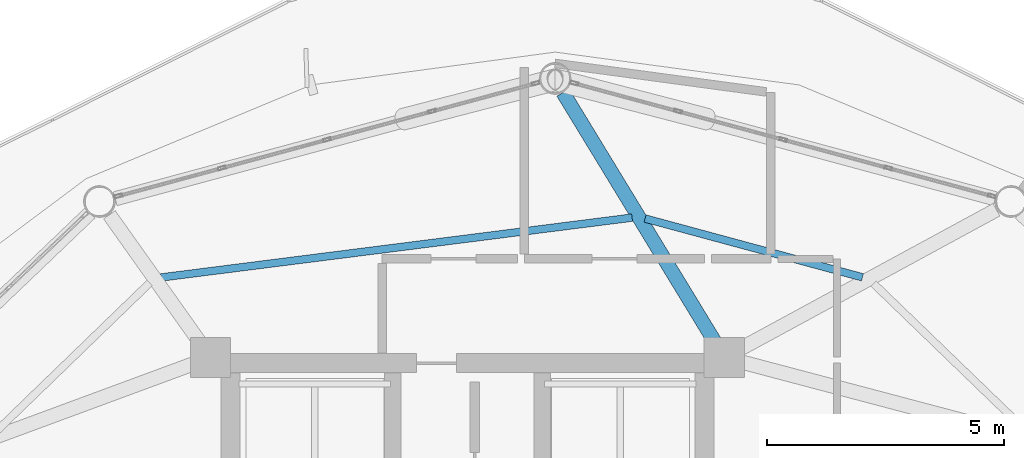
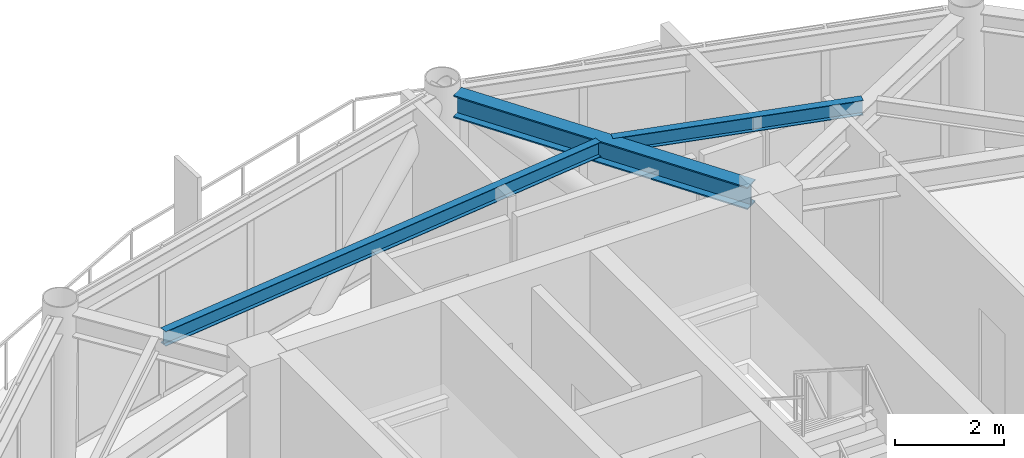
# One storey, part 20 of 28: 3 beams.
"""IFC4 building model written with IfcOpenShell, lengths in metres."""

from ifc_helpers import new_model, si_unit, direction, frame, origin, origin_2d, place, context, subcontext, project, spatial, i_section, extrude, material, material_profile, profile_set, type_object, element, save


model = new_model("IFC4")

# Units and contexts
model_context = context("Model", 3, precision=1e-05, world=origin(), true_north=direction((0.0, 1.0)))
body_context = subcontext(model_context, "Body", "Model", "MODEL_VIEW")
ifc_project = project(units=[si_unit("LENGTHUNIT", "METRE"), si_unit("AREAUNIT", "SQUARE_METRE"), si_unit("VOLUMEUNIT", "CUBIC_METRE"), si_unit("PLANEANGLEUNIT", "RADIAN"), si_unit("MASSUNIT", "GRAM", prefix="KILO")], contexts=[model_context])

# Site, building, storey
site_placement = place(None, origin())
site = spatial("IfcSite", under=ifc_project, at=site_placement, CompositionType="ELEMENT")
building_placement = place(site_placement, origin())
building = spatial("IfcBuilding", under=site, at=building_placement, Name="Varnakorn Sky Granary", CompositionType="ELEMENT")
storey_placement = place(building_placement, frame((0.0, 0.0, 200.39990234375)))
storey = spatial("IfcBuildingStorey", under=building, at=storey_placement, Name="L50", CompositionType="ELEMENT", Elevation=200.39990234375)

# Beams
ifc_material = material(Name="Steel S355JR", Category="steel")
ifc_material_profile_1 = material_profile(ifc_material, i_section(OverallWidth=0.300048828125, OverallDepth=0.5, WebThickness=0.014404296875, FlangeThickness=0.028076171875, at=origin_2d()), Name="HE 500 B")
ifc_profile_set_1 = profile_set([ifc_material_profile_1], Name="Steel S355JR")
beam_type_1 = type_object("IfcBeamType", Name="BM-RAD-Z4", PredefinedType="BEAM", material=ifc_profile_set_1)
beam_1_placement = place(storey_placement, frame((8.209228515625, 12.9658203125, 3.110107421875), z_axis=(-0.520330309652, 0.85396508644, 0.0), x_axis=(-0.85396508644, -0.520330309652, 0.0)))
element("IfcBeam", 1, at=beam_1_placement, inside=storey, type_object=beam_type_1, Name="Radial Floor Girder RG04 L50", PredefinedType="BEAM", context=body_context, shape_type="SweptSolid", body=[
    extrude(i_section(OverallWidth=0.300048828125, OverallDepth=0.5, WebThickness=0.014404296875, FlangeThickness=0.028076171875, at=origin_2d()), origin(), (0.0, 0.0, 1.0), 6.140869140625),
])
ifc_material_profile_2 = material_profile(ifc_material, i_section(OverallWidth=0.159912109375, OverallDepth=0.330078125, WebThickness=0.007568359375, FlangeThickness=0.011474609375, at=origin_2d()), Name="IPE 330")
ifc_profile_set_2 = profile_set([ifc_material_profile_2], Name="Steel S355JR")
beam_type_2 = type_object("IfcBeamType", Name="BM-SEC-Z4", PredefinedType="BEAM", material=ifc_profile_set_2)
beam_2_placement = place(storey_placement, frame((11.332763671875, 14.311279296875, 3.195068359375), z_axis=(-0.965324902694, 0.261051397694, 0.0), x_axis=(-0.261051397694, -0.965324902694, 0.0)))
element("IfcBeam", 2, at=beam_2_placement, inside=storey, type_object=beam_type_2, Name="Secondary Floor Chord Beam MSB03 L50", PredefinedType="BEAM", context=body_context, shape_type="SweptSolid", body=[
    extrude(i_section(OverallWidth=0.159912109375, OverallDepth=0.330078125, WebThickness=0.007568359375, FlangeThickness=0.011474609375, at=origin_2d()), origin(), (0.0, 0.0, 1.0), 4.7509765625),
])
beam_3_placement = place(storey_placement, frame((6.47265625, 15.5703125, 3.195068359375), z_axis=(-0.992024638318, -0.126044107242, 0.0), x_axis=(0.126044107242, -0.992024638318, 0.0)))
element("IfcBeam", 3, at=beam_3_placement, inside=storey, type_object=beam_type_2, Name="Secondary Floor Chord Beam MSB04 L50", PredefinedType="BEAM", context=body_context, shape_type="SweptSolid", body=[
    extrude(i_section(OverallWidth=0.159912109375, OverallDepth=0.330078125, WebThickness=0.007568359375, FlangeThickness=0.011474609375, at=origin_2d()), origin(), (0.0, 0.0, 1.0), 10.017822265625),
])

save(model, "model.ifc")
